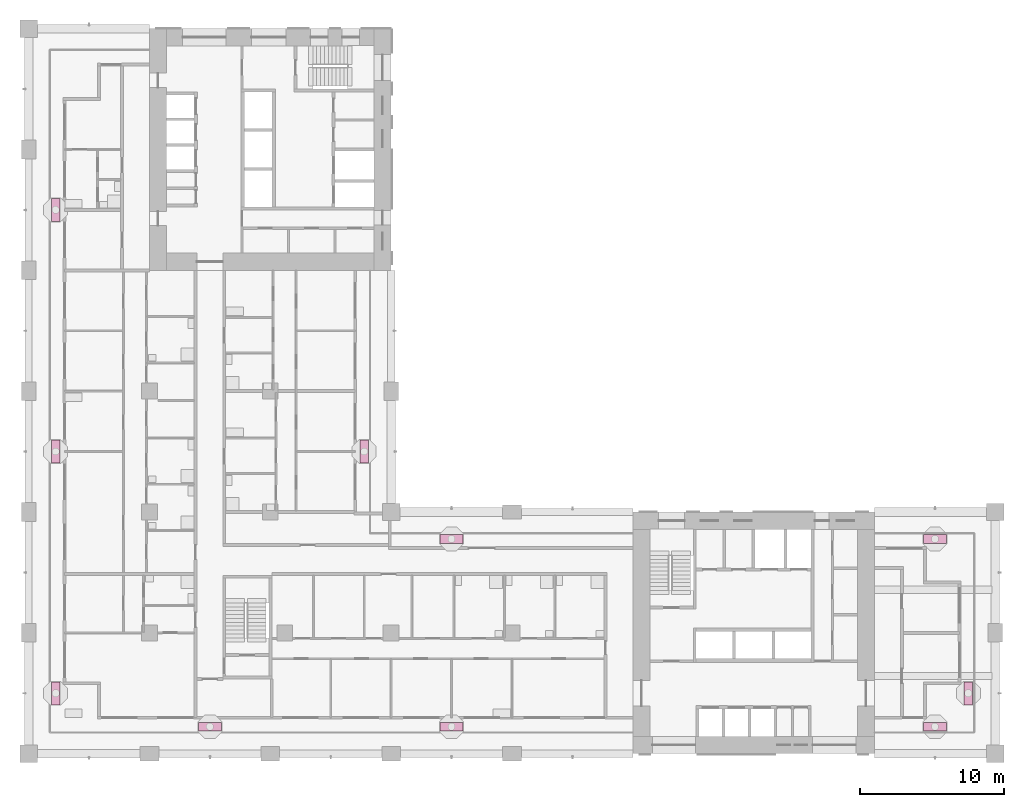
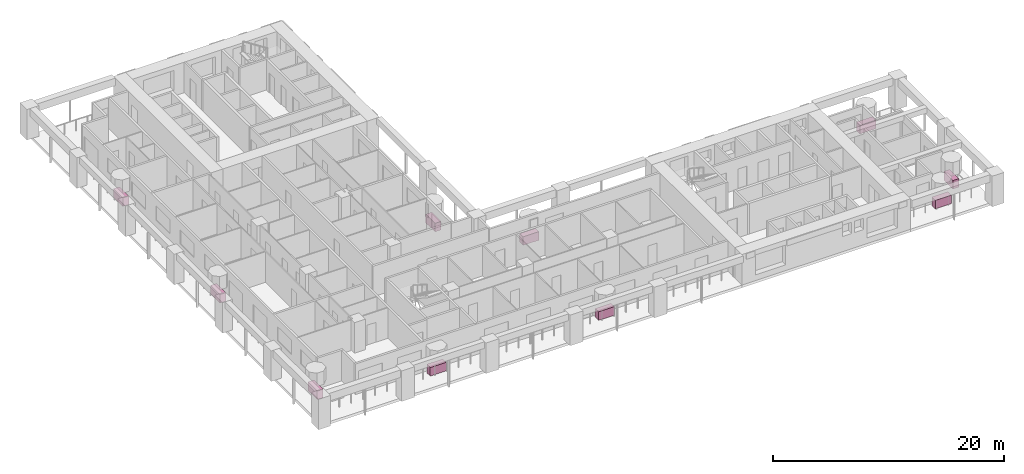
# One storey, part 18 of 19: 10 furniture elements.
"""IFC4 building model written with IfcOpenShell, lengths in metres."""

from ifc_helpers import new_model, si_unit, direction, frame, origin, origin_2d, place, context, subcontext, project, spatial, rectangle, extrude, material, element, save


model = new_model("IFC4")

# Units and contexts
model_context = context("Model", 3, precision=1e-05, world=origin(), true_north=direction((0.0, 1.0)))
body_context = subcontext(model_context, "Body", "Model", "MODEL_VIEW")
ifc_project = project(units=[si_unit("LENGTHUNIT", "METRE"), si_unit("AREAUNIT", "SQUARE_METRE"), si_unit("VOLUMEUNIT", "CUBIC_METRE"), si_unit("PLANEANGLEUNIT", "RADIAN"), si_unit("MASSUNIT", "GRAM", prefix="KILO")], contexts=[model_context])

# Site, building, storey
site_placement = place(None, origin())
site = spatial("IfcSite", under=ifc_project, at=site_placement, CompositionType="ELEMENT")
building_placement = place(site_placement, origin())
building = spatial("IfcBuilding", under=site, at=building_placement, Name="Vermilion Gate Residences", CompositionType="ELEMENT")
storey_placement = place(building_placement, frame((0.0, 0.0, 119.699951171875)))
storey = spatial("IfcBuildingStorey", under=building, at=storey_placement, Name="L30", CompositionType="ELEMENT", Elevation=119.699951171875)

# Furniture
ifc_material = material(Name="Terracotta planter", Category="masonry")
for number, where, z_axis, x_axis, name in (
    (1, (12.60009765625, 10.27490234375, 0.0), (0.0, 0.0, 1.0), (1.0, 0.0, 0.0), "PLANTER"),
    (2, (29.39990234375, 10.27490234375, 0.0), (0.0, 0.0, 1.0), (1.0, 0.0, 0.0), "PLANTER"),
    (3, (63.0, 10.27490234375, 0.0), (0.0, 0.0, 1.0), (1.0, 0.0, 0.0), "PLANTER"),
    (4, (65.324951171875, 12.60009765625, 0.0), (0.0, 0.0, 1.0), (0.0, 1.0, 0.0), "PLANTER"),
    (5, (29.39990234375, 23.324951171875, 0.0), (0.0, 0.0, 1.0), (-1.0, 0.0, 0.0), "PLANTER"),
    (6, (63.0, 23.324951171875, 0.0), (0.0, 0.0, 1.0), (-1.0, 0.0, 0.0), "PLANTER"),
    (7, (23.324951171875, 29.39990234375, 0.0), (0.0, 0.0, 1.0), (0.0, 1.0, 0.0), "PLANTER"),
    (8, (1.875, 12.60009765625, 0.0), (0.0, 0.0, 1.0), (0.0, -1.0, 0.0), "PLANTER"),
    (9, (1.875, 29.39990234375, 0.0), (0.0, 0.0, 1.0), (0.0, -1.0, 0.0), "PLANTER"),
    (10, (1.875, 46.199951171875, 0.0), (0.0, 0.0, 1.0), (0.0, -1.0, 0.0), "PLANTER"),
):
    element("IfcFurniture", number, at=place(storey_placement, frame(where, z_axis=z_axis, x_axis=x_axis)), inside=storey, material=ifc_material, Name=name, ObjectType="PLANTER", PredefinedType="USERDEFINED", context=body_context, shape_type="SweptSolid", body=[
        extrude(rectangle(XDim=1.60009765625, YDim=0.60009765625, at=origin_2d()), origin(), (0.0, 0.0, 1.0), 0.89990234375),
    ])

save(model, "model.ifc")
